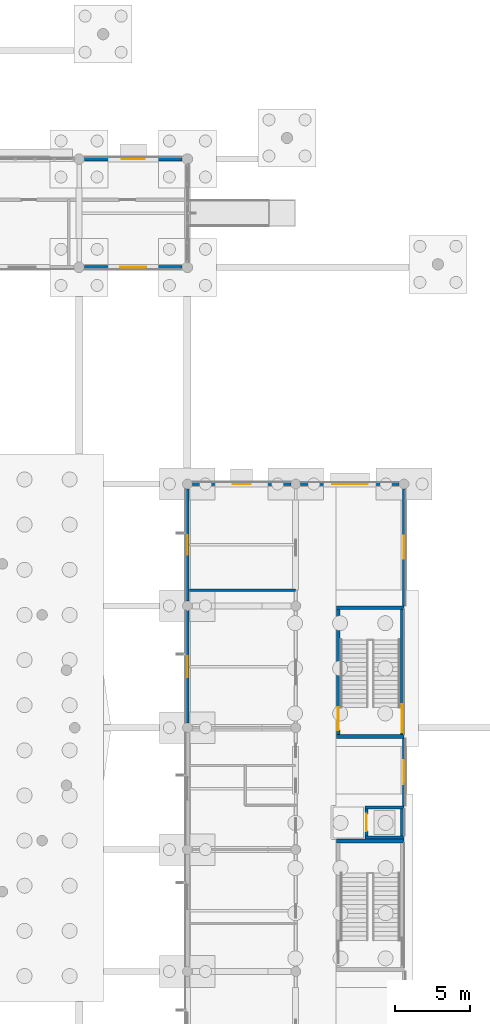
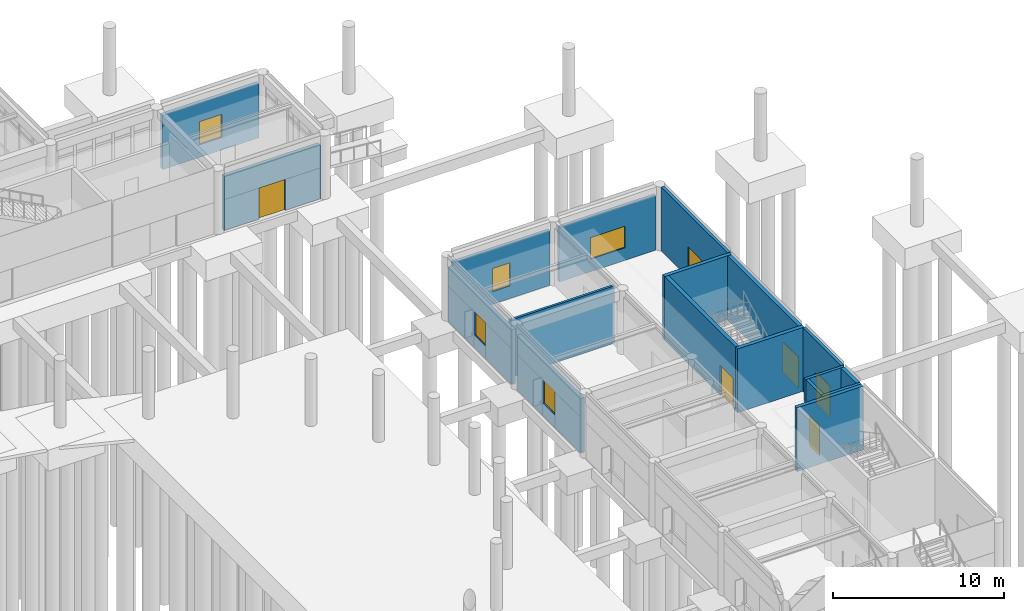
# One storey, part 62 of 103: 18 walls, 6 doors, 5 windows, 11 openings.
"""IFC4 building model written with IfcOpenShell, lengths in metres."""

from ifc_helpers import new_model, si_unit, direction, frame, frame_2d, origin, place, context, subcontext, project, spatial, rectangle, extrude, material, layer, layer_set, type_object, element, fill, save


model = new_model("IFC4")

# Units and contexts
model_context = context("Model", 3, precision=1e-05, world=origin(), true_north=direction((0.0, 1.0)))
body_context = subcontext(model_context, "Body", "Model", "MODEL_VIEW")
ifc_project = project(units=[si_unit("LENGTHUNIT", "METRE"), si_unit("AREAUNIT", "SQUARE_METRE"), si_unit("VOLUMEUNIT", "CUBIC_METRE"), si_unit("PLANEANGLEUNIT", "RADIAN"), si_unit("MASSUNIT", "GRAM", prefix="KILO")], contexts=[model_context])

# Site, building, storey
site_placement = place(None, origin())
site = spatial("IfcSite", under=ifc_project, at=site_placement, CompositionType="ELEMENT")
building_placement = place(site_placement, origin())
building = spatial("IfcBuilding", under=site, at=building_placement, Name="Namkhue Oval Health Centre", CompositionType="ELEMENT")
storey_placement = place(building_placement, origin())
storey = spatial("IfcBuildingStorey", under=building, at=storey_placement, Name="L00", CompositionType="ELEMENT", Elevation=0.0)

# Wall, opening, door
ifc_material_1 = material(Name="Autoclaved aerated concrete blockwork M7.5", Category="masonry")
ifc_layer_1 = layer(ifc_material_1, 0.18994140625)
ifc_layer_set_1 = layer_set([ifc_layer_1], Name="Autoclaved aerated concrete blockwork M7.5")
wall_type_1 = type_object("IfcWallType", Name="EXTERIOR ENVELOPE WALL 190", PredefinedType="STANDARD", material=ifc_layer_set_1)
wall_1_placement = place(storey_placement, frame((151.199951171875, 54.201904296875, 0.0), z_axis=(0.0, 0.0, 1.0), x_axis=(0.0, 1.0, 0.0)))
wall_1 = element("IfcWall", 1, at=wall_1_placement, inside=storey, type_object=wall_type_1, Name="Volume V6 L00 Exterior Envelope Wall 162", PredefinedType="STANDARD", context=body_context, shape_type="SweptSolid", body=[
    extrude(rectangle(XDim=4.49609375, YDim=0.18994140625, at=frame_2d((2.248046875, 0.0))), origin(), (0.0, 0.0, 1.0), 4.56494140625),
])
opening_1_placement = place(wall_1_placement, frame((1.447998046875, 0.0, 0.0)))
opening_1 = element("IfcOpeningElement", 2, at=opening_1_placement, cuts=wall_1, Name="Opening ED-05", PredefinedType="OPENING", context=body_context, shape_type="SweptSolid", body=[
    extrude(rectangle(XDim=1.60009765625, YDim=2.199951171875, at=frame_2d((0.800048828125, 1.10009765625))), frame((0.0, 0.10498046875, 0.0), z_axis=(0.0, -1.0, 0.0), x_axis=(1.0, 0.0, 0.0)), (0.0, 0.0, 1.0), 0.2099609375),
])
ifc_material_2 = material(Name="Anodised aluminium glazed entrance door", Category="aluminium")
door_type_1 = type_object("IfcDoorType", Name="ENTRANCE DOOR 1600X2200", OperationType="DOUBLE_DOOR_SINGLE_SWING", PredefinedType="DOOR", material=ifc_material_2)
door_1_placement = place(opening_1_placement, frame((1.60009765625, 0.0, 0.0), z_axis=(0.0, 0.0, 1.0), x_axis=(-1.0, 0.0, 0.0)))
door_1 = element("IfcDoor", 3, at=door_1_placement, inside=storey, type_object=door_type_1, Name="Volume V6 Main Pedestrian Entrance Exit Door 17", OperationType="DOUBLE_DOOR_SINGLE_SWING", OverallHeight=2.199951171875, OverallWidth=1.60009765625, PredefinedType="DOOR", context=body_context, shape_type="SweptSolid", body=[
    extrude(rectangle(XDim=1.60009765625, YDim=2.199951171875, at=frame_2d((0.800048828125, 1.10009765625))), frame((0.0, 0.02490234375, 0.0), z_axis=(0.0, -1.0, 0.0), x_axis=(1.0, 0.0, 0.0)), (0.0, 0.0, 1.0), 0.050048828125),
])
fill(opening_1, door_1)

ifc_layer_2 = layer(ifc_material_1, 0.199951171875)
ifc_layer_set_2 = layer_set([ifc_layer_2], Name="Autoclaved aerated concrete blockwork M7.5")
wall_type_2 = type_object("IfcWallType", Name="EXTERIOR ENVELOPE WALL 200", PredefinedType="STANDARD", material=ifc_layer_set_2)
wall_2_placement = place(storey_placement, frame((151.199951171875, 67.501953125, 0.0), z_axis=(0.0, 0.0, 1.0), x_axis=(0.0, 1.0, 0.0)))
wall_2 = element("IfcWall", 4, at=wall_2_placement, inside=storey, type_object=wall_type_2, Name="Volume V6 L00 Exterior Envelope Wall 163", PredefinedType="STANDARD", context=body_context, shape_type="SweptSolid", body=[
    extrude(rectangle(XDim=7.778076171875, YDim=0.199951171875, at=frame_2d((3.88916015625, 0.0))), origin(), (0.0, 0.0, 1.0), 4.56494140625),
])
opening_2_placement = place(wall_2_placement, frame((3.12890625, 0.0, 0.0)))
opening_2 = element("IfcOpeningElement", 5, at=opening_2_placement, cuts=wall_2, Name="Opening ED-06", PredefinedType="OPENING", context=body_context, shape_type="SweptSolid", body=[
    extrude(rectangle(XDim=1.52001953125, YDim=2.179931640625, at=frame_2d((0.760009765625, 1.08984375))), frame((0.0, 0.10986328125, 0.0), z_axis=(0.0, -1.0, 0.0), x_axis=(1.0, 0.0, 0.0)), (0.0, 0.0, 1.0), 0.219970703125),
])
door_type_2 = type_object("IfcDoorType", Name="ENTRANCE DOOR 1520X2180", OperationType="DOUBLE_DOOR_SINGLE_SWING", PredefinedType="DOOR", material=ifc_material_2)
door_2_placement = place(opening_2_placement, frame((1.52001953125, 0.0, 0.0), z_axis=(0.0, 0.0, 1.0), x_axis=(-1.0, 0.0, 0.0)))
door_2 = element("IfcDoor", 6, at=door_2_placement, inside=storey, type_object=door_type_2, Name="Volume V6 Main Pedestrian Entrance Exit Door 18", OperationType="DOUBLE_DOOR_SINGLE_SWING", OverallHeight=2.179931640625, OverallWidth=1.52001953125, PredefinedType="DOOR", context=body_context, shape_type="SweptSolid", body=[
    extrude(rectangle(XDim=1.52001953125, YDim=2.179931640625, at=frame_2d((0.760009765625, 1.08984375))), frame((0.0, 0.02490234375, 0.0), z_axis=(0.0, -1.0, 0.0), x_axis=(1.0, 0.0, 0.0)), (0.0, 0.0, 1.0), 0.050048828125),
])
fill(opening_2, door_2)

# Wall, opening, window
ifc_layer_3 = layer(ifc_material_1, 0.2099609375)
ifc_layer_set_3 = layer_set([ifc_layer_3], Name="Autoclaved aerated concrete blockwork M7.5")
wall_type_3 = type_object("IfcWallType", Name="EXTERIOR ENVELOPE WALL 210", PredefinedType="STANDARD", material=ifc_layer_set_3)
wall_3_placement = place(storey_placement, frame((150.8798828125, 75.60009765625, 0.0), z_axis=(0.0, 0.0, 1.0), x_axis=(-1.0, 0.0, 0.0)))
wall_3 = element("IfcWall", 7, at=wall_3_placement, inside=storey, type_object=wall_type_3, Name="Volume V6 L00 Exterior Envelope Wall 164", PredefinedType="STANDARD", context=body_context, shape_type="SweptSolid", body=[
    extrude(rectangle(XDim=6.559814453125, YDim=0.2099609375, at=frame_2d((3.27978515625, 0.0))), origin(), (0.0, 0.0, 1.0), 3.9150390625),
])
opening_3_placement = place(wall_3_placement, frame((2.10498046875, 0.0, 0.89990234375)))
opening_3 = element("IfcOpeningElement", 8, at=opening_3_placement, cuts=wall_3, Name="Opening WN-30", PredefinedType="OPENING", context=body_context, shape_type="SweptSolid", body=[
    extrude(rectangle(XDim=2.35009765625, YDim=1.5400390625, at=frame_2d((1.175048828125, 0.77001953125))), frame((0.0, 0.114990234375, 0.0), z_axis=(0.0, -1.0, 0.0), x_axis=(1.0, 0.0, 0.0)), (0.0, 0.0, 1.0), 0.22998046875),
])
ifc_material_3 = material(Name="Thermally broken low-E laminated double glazing", Category="glass")
window_type_1 = type_object("IfcWindowType", Name="EXTERIOR WINDOW 2350X1540", PartitioningType="SINGLE_PANEL", PredefinedType="WINDOW", material=ifc_material_3)
window_1_placement = place(opening_3_placement, origin())
window_1 = element("IfcWindow", 9, at=window_1_placement, inside=storey, type_object=window_type_1, Name="Volume V6 L00 Exterior Window 120", OverallHeight=1.5400390625, OverallWidth=2.35009765625, PartitioningType="SINGLE_PANEL", PredefinedType="WINDOW", context=body_context, shape_type="SweptSolid", body=[
    extrude(rectangle(XDim=2.35009765625, YDim=1.5400390625, at=frame_2d((1.175048828125, 0.77001953125))), frame((0.0, 0.030029296875, 0.0), z_axis=(0.0, -1.0, 0.0), x_axis=(1.0, 0.0, 0.0)), (0.0, 0.0, 1.0), 0.06005859375),
])
fill(opening_3, window_1)

ifc_layer_4 = layer(ifc_material_1, 0.219970703125)
ifc_layer_set_4 = layer_set([ifc_layer_4], Name="Autoclaved aerated concrete blockwork M7.5")
wall_type_4 = type_object("IfcWallType", Name="EXTERIOR ENVELOPE WALL 220", PredefinedType="STANDARD", material=ifc_layer_set_4)
wall_4_placement = place(storey_placement, frame((143.679931640625, 75.60009765625, 0.0), z_axis=(0.0, 0.0, 1.0), x_axis=(-1.0, 0.0, 0.0)))
wall_4 = element("IfcWall", 10, at=wall_4_placement, inside=storey, type_object=wall_type_4, Name="Volume V6 L00 Exterior Envelope Wall 165", PredefinedType="STANDARD", context=body_context, shape_type="SweptSolid", body=[
    extrude(rectangle(XDim=6.559814453125, YDim=0.219970703125, at=frame_2d((3.27978515625, 0.0))), origin(), (0.0, 0.0, 1.0), 3.9150390625),
])
opening_4_placement = place(wall_4_placement, frame((2.679931640625, 0.0, 0.89990234375)))
opening_4 = element("IfcOpeningElement", 11, at=opening_4_placement, cuts=wall_4, Name="Opening WN-31", PredefinedType="OPENING", context=body_context, shape_type="SweptSolid", body=[
    extrude(rectangle(XDim=1.199951171875, YDim=1.659912109375, at=frame_2d((0.60009765625, 0.830078125))), frame((0.0, 0.119873046875, 0.0), z_axis=(0.0, -1.0, 0.0), x_axis=(1.0, 0.0, 0.0)), (0.0, 0.0, 1.0), 0.239990234375),
])
window_type_2 = type_object("IfcWindowType", Name="EXTERIOR WINDOW 1200X1660", PartitioningType="SINGLE_PANEL", PredefinedType="WINDOW", material=ifc_material_3)
window_2_placement = place(opening_4_placement, origin())
window_2 = element("IfcWindow", 12, at=window_2_placement, inside=storey, type_object=window_type_2, Name="Volume V6 L00 Exterior Window 121", OverallHeight=1.659912109375, OverallWidth=1.199951171875, PartitioningType="SINGLE_PANEL", PredefinedType="WINDOW", context=body_context, shape_type="SweptSolid", body=[
    extrude(rectangle(XDim=1.199951171875, YDim=1.659912109375, at=frame_2d((0.60009765625, 0.830078125))), frame((0.0, 0.030029296875, 0.0), z_axis=(0.0, -1.0, 0.0), x_axis=(1.0, 0.0, 0.0)), (0.0, 0.0, 1.0), 0.06005859375),
])
fill(opening_4, window_2)

ifc_layer_5 = layer(ifc_material_1, 0.22998046875)
ifc_layer_set_5 = layer_set([ifc_layer_5], Name="Autoclaved aerated concrete blockwork M7.5")
wall_type_5 = type_object("IfcWallType", Name="EXTERIOR ENVELOPE WALL 230", PredefinedType="STANDARD", material=ifc_layer_set_5)
wall_5_placement = place(storey_placement, frame((136.800048828125, 75.280029296875, 0.0), z_axis=(0.0, 0.0, 1.0), x_axis=(0.0, -1.0, 0.0)))
wall_5 = element("IfcWall", 13, at=wall_5_placement, inside=storey, type_object=wall_type_5, Name="Volume V6 L00 Exterior Envelope Wall 166", PredefinedType="STANDARD", context=body_context, shape_type="SweptSolid", body=[
    extrude(rectangle(XDim=7.4599609375, YDim=0.22998046875, at=frame_2d((3.72998046875, 0.0))), origin(), (0.0, 0.0, 1.0), 3.9150390625),
])
opening_5_placement = place(wall_5_placement, frame((3.080078125, 0.0, 0.89990234375)))
opening_5 = element("IfcOpeningElement", 14, at=opening_5_placement, cuts=wall_5, Name="Opening WN-32", PredefinedType="OPENING", context=body_context, shape_type="SweptSolid", body=[
    extrude(rectangle(XDim=1.300048828125, YDim=1.659912109375, at=frame_2d((0.64990234375, 0.830078125))), frame((0.0, 0.125, 0.0), z_axis=(0.0, -1.0, 0.0), x_axis=(1.0, 0.0, 0.0)), (0.0, 0.0, 1.0), 0.25),
])
window_type_3 = type_object("IfcWindowType", Name="EXTERIOR WINDOW 1300X1660", PartitioningType="SINGLE_PANEL", PredefinedType="WINDOW", material=ifc_material_3)
window_3_placement = place(opening_5_placement, origin())
window_3 = element("IfcWindow", 15, at=window_3_placement, inside=storey, type_object=window_type_3, Name="Volume V6 L00 Exterior Window 122", OverallHeight=1.659912109375, OverallWidth=1.300048828125, PartitioningType="SINGLE_PANEL", PredefinedType="WINDOW", context=body_context, shape_type="SweptSolid", body=[
    extrude(rectangle(XDim=1.300048828125, YDim=1.659912109375, at=frame_2d((0.64990234375, 0.830078125))), frame((0.0, 0.030029296875, 0.0), z_axis=(0.0, -1.0, 0.0), x_axis=(1.0, 0.0, 0.0)), (0.0, 0.0, 1.0), 0.06005859375),
])
fill(opening_5, window_3)

# Wall, opening, door
ifc_layer_6 = layer(ifc_material_1, 0.239990234375)
ifc_layer_set_6 = layer_set([ifc_layer_6], Name="Autoclaved aerated concrete blockwork M7.5")
wall_type_6 = type_object("IfcWallType", Name="EXTERIOR ENVELOPE WALL 240", PredefinedType="STANDARD", material=ifc_layer_set_6)
wall_6_placement = place(storey_placement, frame((129.945068359375, 90.0, 0.0), z_axis=(0.0, 0.0, 1.0), x_axis=(1.0, 0.0, 0.0)))
wall_6 = element("IfcWall", 16, at=wall_6_placement, inside=storey, type_object=wall_type_6, Name="Volume V3 L00 Exterior Envelope Wall 55", PredefinedType="STANDARD", context=body_context, shape_type="SweptSolid", body=[
    extrude(rectangle(XDim=6.510009765625, YDim=0.239990234375, at=frame_2d((3.2548828125, 0.0))), origin(), (0.0, 0.0, 1.0), 3.885009765625),
])
opening_6_placement = place(wall_6_placement, frame((2.3798828125, 0.0, 0.0)))
opening_6 = element("IfcOpeningElement", 17, at=opening_6_placement, cuts=wall_6, Name="Opening ED-03", PredefinedType="OPENING", context=body_context, shape_type="SweptSolid", body=[
    extrude(rectangle(XDim=1.75, YDim=2.219970703125, at=frame_2d((0.875, 1.10986328125))), frame((0.0, 0.1298828125, 0.0), z_axis=(0.0, -1.0, 0.0), x_axis=(1.0, 0.0, 0.0)), (0.0, 0.0, 1.0), 0.260009765625),
])
door_type_3 = type_object("IfcDoorType", Name="ENTRANCE DOOR 1750X2220", OperationType="DOUBLE_DOOR_SINGLE_SWING", PredefinedType="DOOR", material=ifc_material_2)
door_3_placement = place(opening_6_placement, frame((1.75, 0.0, 0.0), z_axis=(0.0, 0.0, 1.0), x_axis=(-1.0, 0.0, 0.0)))
door_3 = element("IfcDoor", 18, at=door_3_placement, inside=storey, type_object=door_type_3, Name="Volume V3 Main Pedestrian Entrance Exit Door 9", OperationType="DOUBLE_DOOR_SINGLE_SWING", OverallHeight=2.219970703125, OverallWidth=1.75, PredefinedType="DOOR", context=body_context, shape_type="SweptSolid", body=[
    extrude(rectangle(XDim=1.75, YDim=2.219970703125, at=frame_2d((0.875, 1.10986328125))), frame((0.0, 0.02490234375, 0.0), z_axis=(0.0, -1.0, 0.0), x_axis=(1.0, 0.0, 0.0)), (0.0, 0.0, 1.0), 0.050048828125),
])
fill(opening_6, door_3)

# Wall, opening, window
wall_7_placement = place(storey_placement, frame((136.800048828125, 67.179931640625, 0.0), z_axis=(0.0, 0.0, 1.0), x_axis=(0.0, -1.0, 0.0)))
wall_7 = element("IfcWall", 19, at=wall_7_placement, inside=storey, type_object=wall_type_6, Name="Volume V6 L00 Exterior Envelope Wall 167", PredefinedType="STANDARD", context=body_context, shape_type="SweptSolid", body=[
    extrude(rectangle(XDim=7.4599609375, YDim=0.239990234375, at=frame_2d((3.72998046875, 0.0))), origin(), (0.0, 0.0, 1.0), 3.9150390625),
])
opening_7_placement = place(wall_7_placement, frame((3.030029296875, 0.0, 0.89990234375)))
opening_7 = element("IfcOpeningElement", 20, at=opening_7_placement, cuts=wall_7, Name="Opening WN-33", PredefinedType="OPENING", context=body_context, shape_type="SweptSolid", body=[
    extrude(rectangle(XDim=1.39990234375, YDim=1.659912109375, at=frame_2d((0.699951171875, 0.830078125))), frame((0.0, 0.1298828125, 0.0), z_axis=(0.0, -1.0, 0.0), x_axis=(1.0, 0.0, 0.0)), (0.0, 0.0, 1.0), 0.260009765625),
])
window_type_4 = type_object("IfcWindowType", Name="EXTERIOR WINDOW 1400X1660", PartitioningType="SINGLE_PANEL", PredefinedType="WINDOW", material=ifc_material_3)
window_4_placement = place(opening_7_placement, origin())
window_4 = element("IfcWindow", 21, at=window_4_placement, inside=storey, type_object=window_type_4, Name="Volume V6 L00 Exterior Window 123", OverallHeight=1.659912109375, OverallWidth=1.39990234375, PartitioningType="SINGLE_PANEL", PredefinedType="WINDOW", context=body_context, shape_type="SweptSolid", body=[
    extrude(rectangle(XDim=1.39990234375, YDim=1.659912109375, at=frame_2d((0.699951171875, 0.830078125))), frame((0.0, 0.030029296875, 0.0), z_axis=(0.0, -1.0, 0.0), x_axis=(1.0, 0.0, 0.0)), (0.0, 0.0, 1.0), 0.06005859375),
])
fill(opening_7, window_4)

ifc_layer_7 = layer(ifc_material_1, 0.25)
ifc_layer_set_7 = layer_set([ifc_layer_7], Name="Autoclaved aerated concrete blockwork M7.5")
wall_type_7 = type_object("IfcWallType", Name="EXTERIOR ENVELOPE WALL 250", PredefinedType="STANDARD", material=ifc_layer_set_7)
wall_8_placement = place(storey_placement, frame((136.455078125, 97.199951171875, 0.0), z_axis=(0.0, 0.0, 1.0), x_axis=(-1.0, 0.0, 0.0)))
wall_8 = element("IfcWall", 22, at=wall_8_placement, inside=storey, type_object=wall_type_7, Name="Volume V3 L00 Exterior Envelope Wall 56", PredefinedType="STANDARD", context=body_context, shape_type="SweptSolid", body=[
    extrude(rectangle(XDim=6.510009765625, YDim=0.25, at=frame_2d((3.2548828125, 0.0))), origin(), (0.0, 0.0, 1.0), 3.885009765625),
])
opening_8_placement = place(wall_8_placement, frame((2.5048828125, 0.0, 0.89990234375)))
opening_8 = element("IfcOpeningElement", 23, at=opening_8_placement, cuts=wall_8, Name="Opening WN-34", PredefinedType="OPENING", context=body_context, shape_type="SweptSolid", body=[
    extrude(rectangle(XDim=1.5, YDim=1.659912109375, at=frame_2d((0.75, 0.830078125))), frame((0.0, 0.135009765625, 0.0), z_axis=(0.0, -1.0, 0.0), x_axis=(1.0, 0.0, 0.0)), (0.0, 0.0, 1.0), 0.27001953125),
])
window_type_5 = type_object("IfcWindowType", Name="EXTERIOR WINDOW 1500X1660", PartitioningType="SINGLE_PANEL", PredefinedType="WINDOW", material=ifc_material_3)
window_5_placement = place(opening_8_placement, origin())
window_5 = element("IfcWindow", 24, at=window_5_placement, inside=storey, type_object=window_type_5, Name="Volume V3 L00 Exterior Window 34", OverallHeight=1.659912109375, OverallWidth=1.5, PartitioningType="SINGLE_PANEL", PredefinedType="WINDOW", context=body_context, shape_type="SweptSolid", body=[
    extrude(rectangle(XDim=1.5, YDim=1.659912109375, at=frame_2d((0.75, 0.830078125))), frame((0.0, 0.030029296875, 0.0), z_axis=(0.0, -1.0, 0.0), x_axis=(1.0, 0.0, 0.0)), (0.0, 0.0, 1.0), 0.06005859375),
])
fill(opening_8, window_5)

# Wall
ifc_material_4 = material(Name="Gypsum plasterboard acoustic partition", Category="gypsum")
ifc_layer_8 = layer(ifc_material_4, 0.159912109375)
ifc_layer_set_8 = layer_set([ifc_layer_8], Name="Gypsum plasterboard acoustic partition")
wall_type_8 = type_object("IfcWallType", Name="INTERIOR PARTITION WALL 160", PredefinedType="PARTITIONING", material=ifc_layer_set_8)
wall_9_placement = place(storey_placement, frame((136.93701171875, 68.547119140625, 0.0), z_axis=(0.0, 0.0, 1.0), x_axis=(1.0, 0.0, 0.0)))
element("IfcWall", 25, at=wall_9_placement, inside=storey, type_object=wall_type_8, Name="Volume V6 L00 Clinical Partition Wall 259", PredefinedType="PARTITIONING", context=body_context, shape_type="SweptSolid", body=[
    extrude(rectangle(XDim=7.06298828125, YDim=0.159912109375, at=frame_2d((3.531494140625, 0.0))), origin(), (0.0, 0.0, 1.0), 4.114990234375),
])

# Wall, opening, door
ifc_material_5 = material(Name="Reinforced concrete C35/45 (TCVN B40)", Category="concrete")
ifc_layer_9 = layer(ifc_material_5, 0.25)
ifc_layer_set_9 = layer_set([ifc_layer_9], Name="Reinforced concrete C35/45 (TCVN B40)")
wall_type_9 = type_object("IfcWallType", Name="SHEAR CORE WALL EXT 250", PredefinedType="SHEAR", material=ifc_layer_set_9)
wall_10_placement = place(storey_placement, frame((151.074951171875, 58.949951171875, 0.0), z_axis=(0.0, 0.0, 1.0), x_axis=(0.0, 1.0, 0.0)))
wall_10 = element("IfcWall", 26, at=wall_10_placement, inside=storey, type_object=wall_type_9, Name="Core SC-12 L00 Shear Wall E", PredefinedType="SHEAR", context=body_context, shape_type="SweptSolid", body=[
    extrude(rectangle(XDim=8.300048828125, YDim=0.25, at=frame_2d((4.14990234375, 0.0))), origin(), (0.0, 0.0, 1.0), 4.56494140625),
])
opening_9_placement = place(wall_10_placement, frame((0.14990234375, 0.0, 0.0)))
opening_9 = element("IfcOpeningElement", 27, at=opening_9_placement, cuts=wall_10, Name="Opening SD-E1", PredefinedType="OPENING", context=body_context, shape_type="SweptSolid", body=[
    extrude(rectangle(XDim=1.85009765625, YDim=2.199951171875, at=frame_2d((0.925048828125, 1.10009765625))), frame((0.0, 0.135009765625, 0.0), z_axis=(0.0, -1.0, 0.0), x_axis=(1.0, 0.0, 0.0)), (0.0, 0.0, 1.0), 0.27001953125),
])
ifc_material_6 = material(Name="Powder-coated steel fire door assembly", Category="steel")
door_type_4 = type_object("IfcDoorType", Name="ENTRANCE DOOR STAIR EXIT 1850X2200", OperationType="DOUBLE_DOOR_SINGLE_SWING", PredefinedType="DOOR", material=ifc_material_6)
door_4_placement = place(opening_9_placement, frame((1.85009765625, 0.0, 0.0), z_axis=(0.0, 0.0, 1.0), x_axis=(-1.0, 0.0, 0.0)))
door_4 = element("IfcDoor", 28, at=door_4_placement, inside=storey, type_object=door_type_4, Name="Stair ST-12 Ground Final Exit Discharge Door", OperationType="DOUBLE_DOOR_SINGLE_SWING", OverallHeight=2.199951171875, OverallWidth=1.85009765625, PredefinedType="DOOR", context=body_context, shape_type="SweptSolid", body=[
    extrude(rectangle(XDim=1.85009765625, YDim=2.199951171875, at=frame_2d((0.925048828125, 1.10009765625))), frame((0.0, 0.02490234375, 0.0), z_axis=(0.0, -1.0, 0.0), x_axis=(1.0, 0.0, 0.0)), (0.0, 0.0, 1.0), 0.050048828125),
])
fill(opening_9, door_4)

# Walls
wall_11_placement = place(storey_placement, frame((151.10009765625, 52.199951171875, 0.0), z_axis=(0.0, 0.0, 1.0), x_axis=(0.0, 1.0, 0.0)))
element("IfcWall", 29, at=wall_11_placement, inside=storey, type_object=wall_type_9, Name="Lift LF-07 L00 Shaft Wall E", PredefinedType="SHEAR", context=body_context, shape_type="SweptSolid", body=[
    extrude(rectangle(XDim=1.800048828125, YDim=0.25, at=frame_2d((0.89990234375, 0.0))), origin(), (0.0, 0.0, 1.0), 4.56494140625),
])
ifc_layer_10 = layer(ifc_material_5, 0.199951171875)
ifc_layer_set_10 = layer_set([ifc_layer_10], Name="Reinforced concrete C35/45 (TCVN B40)")
wall_type_10 = type_object("IfcWallType", Name="SHEAR CORE WALL INT 200", PredefinedType="SHEAR", material=ifc_layer_set_10)
for number, where, z_axis, x_axis, name in (
    (30, (148.60009765625, 52.10009765625, 0.0), (0.0, 0.0, 1.0), (1.0, 0.0, 0.0), "Lift LF-07 L00 Shaft Wall S"),
    (31, (151.199951171875, 54.10009765625, 0.0), (0.0, 0.0, 1.0), (-1.0, 0.0, 0.0), "Lift LF-07 L00 Shaft Wall N"),
):
    element("IfcWall", number, at=place(storey_placement, frame(where, z_axis=z_axis, x_axis=x_axis)), inside=storey, type_object=wall_type_10, Name=name, PredefinedType="SHEAR", context=body_context, shape_type="SweptSolid", body=[
        extrude(rectangle(XDim=2.599853515625, YDim=0.199951171875, at=frame_2d((1.2998046875, 0.0))), origin(), (0.0, 0.0, 1.0), 4.56494140625),
    ])

# Wall, opening, door
wall_12_placement = place(storey_placement, frame((148.699951171875, 54.0, 0.0), z_axis=(0.0, 0.0, 1.0), x_axis=(0.0, -1.0, 0.0)))
wall_12 = element("IfcWall", 32, at=wall_12_placement, inside=storey, type_object=wall_type_10, Name="Lift LF-07 L00 Shaft Wall W", PredefinedType="SHEAR", context=body_context, shape_type="SweptSolid", body=[
    extrude(rectangle(XDim=1.800048828125, YDim=0.199951171875, at=frame_2d((0.89990234375, 0.0))), origin(), (0.0, 0.0, 1.0), 4.56494140625),
])
opening_10_placement = place(wall_12_placement, frame((0.324951171875, 0.0, 0.0)))
opening_10 = element("IfcOpeningElement", 33, at=opening_10_placement, cuts=wall_12, Name="Opening LD-02", PredefinedType="OPENING", context=body_context, shape_type="SweptSolid", body=[
    extrude(rectangle(XDim=1.14990234375, YDim=2.14990234375, at=frame_2d((0.574951171875, 1.074951171875))), frame((0.0, 0.10986328125, 0.0), z_axis=(0.0, -1.0, 0.0), x_axis=(1.0, 0.0, 0.0)), (0.0, 0.0, 1.0), 0.219970703125),
])
door_type_5 = type_object("IfcDoorType", Name="LIFT LANDING DOOR PASSENGER 1150X2150", OperationType="DOUBLE_DOOR_SLIDING", PredefinedType="DOOR", material=ifc_material_6)
door_5_placement = place(opening_10_placement, frame((1.14990234375, 0.0, 0.0), z_axis=(0.0, 0.0, 1.0), x_axis=(-1.0, 0.0, 0.0)))
door_5 = element("IfcDoor", 34, at=door_5_placement, inside=storey, type_object=door_type_5, Name="Lift LF-07 L00 Sliding Landing Door", OperationType="DOUBLE_DOOR_SLIDING", OverallHeight=2.14990234375, OverallWidth=1.14990234375, PredefinedType="DOOR", context=body_context, shape_type="SweptSolid", body=[
    extrude(rectangle(XDim=1.14990234375, YDim=2.14990234375, at=frame_2d((0.574951171875, 1.074951171875))), frame((0.0, 0.02490234375, 0.0), z_axis=(0.0, -1.0, 0.0), x_axis=(1.0, 0.0, 0.0)), (0.0, 0.0, 1.0), 0.050048828125),
])
fill(opening_10, door_5)

# Walls
ifc_layer_11 = layer(ifc_material_5, 0.25)
ifc_layer_set_11 = layer_set([ifc_layer_11], Name="Reinforced concrete C35/45 (TCVN B40)")
wall_type_11 = type_object("IfcWallType", Name="SHEAR CORE WALL INT 250", PredefinedType="SHEAR", material=ifc_layer_set_11)
for number, where, z_axis, x_axis, name in (
    (35, (151.199951171875, 51.875, 0.0), (0.0, 0.0, 1.0), (-1.0, 0.0, 0.0), "Core SC-11 L00 Shear Wall N"),
    (36, (146.699951171875, 58.824951171875, 0.0), (0.0, 0.0, 1.0), (1.0, 0.0, 0.0), "Core SC-12 L00 Shear Wall S"),
    (37, (151.199951171875, 67.375, 0.0), (0.0, 0.0, 1.0), (-1.0, 0.0, 0.0), "Core SC-12 L00 Shear Wall N"),
):
    element("IfcWall", number, at=place(storey_placement, frame(where, z_axis=z_axis, x_axis=x_axis)), inside=storey, type_object=wall_type_11, Name=name, PredefinedType="SHEAR", context=body_context, shape_type="SweptSolid", body=[
        extrude(rectangle(XDim=4.5, YDim=0.25, at=frame_2d((2.25, 0.0))), origin(), (0.0, 0.0, 1.0), 4.56494140625),
    ])

# Wall, opening, door
wall_13_placement = place(storey_placement, frame((146.824951171875, 67.25, 0.0), z_axis=(0.0, 0.0, 1.0), x_axis=(0.0, -1.0, 0.0)))
wall_13 = element("IfcWall", 38, at=wall_13_placement, inside=storey, type_object=wall_type_11, Name="Core SC-12 L00 Shear Wall W", PredefinedType="SHEAR", context=body_context, shape_type="SweptSolid", body=[
    extrude(rectangle(XDim=8.300048828125, YDim=0.25, at=frame_2d((4.14990234375, 0.0))), origin(), (0.0, 0.0, 1.0), 4.56494140625),
])
opening_11_placement = place(wall_13_placement, frame((6.5, 0.0, 0.0)))
opening_11 = element("IfcOpeningElement", 39, at=opening_11_placement, cuts=wall_13, Name="Opening SD-I1", PredefinedType="OPENING", context=body_context, shape_type="SweptSolid", body=[
    extrude(rectangle(XDim=1.5, YDim=2.14990234375, at=frame_2d((0.75, 1.074951171875))), frame((0.0, 0.135009765625, 0.0), z_axis=(0.0, -1.0, 0.0), x_axis=(1.0, 0.0, 0.0)), (0.0, 0.0, 1.0), 0.27001953125),
])
door_type_6 = type_object("IfcDoorType", Name="CLINICAL DOOR STAIR CORE 1500X2150", OperationType="DOUBLE_DOOR_SINGLE_SWING", PredefinedType="DOOR", material=ifc_material_6)
door_6_placement = place(opening_11_placement, origin())
door_6 = element("IfcDoor", 40, at=door_6_placement, inside=storey, type_object=door_type_6, Name="Stair ST-12 L00 Stair Enclosure Fire Door", OperationType="DOUBLE_DOOR_SINGLE_SWING", OverallHeight=2.14990234375, OverallWidth=1.5, PredefinedType="DOOR", context=body_context, shape_type="SweptSolid", body=[
    extrude(rectangle(XDim=1.5, YDim=2.14990234375, at=frame_2d((0.75, 1.074951171875))), frame((0.0, 0.02490234375, 0.0), z_axis=(0.0, -1.0, 0.0), x_axis=(1.0, 0.0, 0.0)), (0.0, 0.0, 1.0), 0.050048828125),
])
fill(opening_11, door_6)

save(model, "model.ifc")
